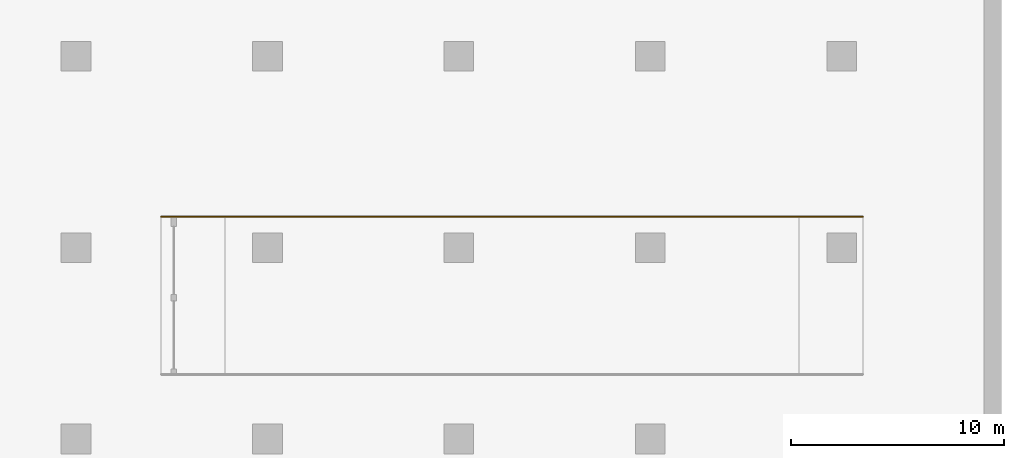
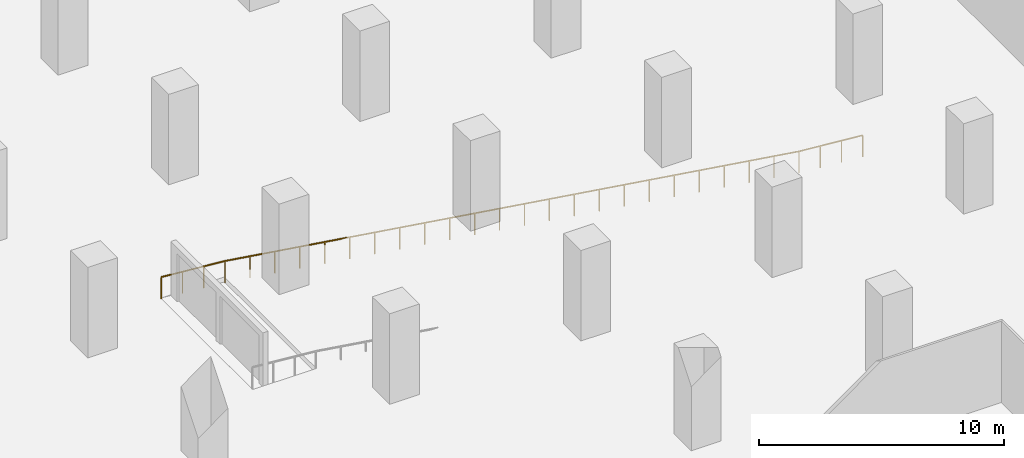
# One storey, part 9 of 9: 1 railing.
"""IFC4 building model written with IfcOpenShell, lengths in metres."""

from ifc_helpers import new_model, si_unit, direction, frame, origin, origin_2d, place, context, subcontext, project, spatial, rectangle, extrude, material, type_object, element, save


model = new_model("IFC4")

# Units and contexts
model_context = context("Model", 3, precision=1e-05, world=origin(), true_north=direction((0.0, 1.0)))
body_context = subcontext(model_context, "Body", "Model", "MODEL_VIEW")
ifc_project = project(units=[si_unit("LENGTHUNIT", "METRE"), si_unit("AREAUNIT", "SQUARE_METRE"), si_unit("VOLUMEUNIT", "CUBIC_METRE"), si_unit("PLANEANGLEUNIT", "RADIAN"), si_unit("MASSUNIT", "GRAM", prefix="KILO")], contexts=[model_context])

# Site, building, storey
site_placement = place(None, origin())
site = spatial("IfcSite", under=ifc_project, at=site_placement, CompositionType="ELEMENT")
building_placement = place(site_placement, origin())
building = spatial("IfcBuilding", under=site, at=building_placement, Name="Chenar Terraces", CompositionType="ELEMENT")
storey_placement = place(building_placement, frame((0.0, 0.0, -4.5)))
storey = spatial("IfcBuildingStorey", under=building, at=storey_placement, Name="B1", CompositionType="ELEMENT", Elevation=-4.5)

# Railing
ifc_material = material(Name="Powder-coated steel", Category="steel")
railing_type = type_object("IfcRailingType", Name="Ramp guard 1100", PredefinedType="GUARDRAIL", material=ifc_material)
railing_placement = place(storey_placement, frame((40.0, 55.449951171875, 0.0)))
element("IfcRailing", 1, at=railing_placement, inside=storey, type_object=railing_type, Name="R2 ramp guard north", PredefinedType="GUARDRAIL", context=body_context, shape_type="SweptSolid", body=[
    extrude(rectangle(XDim=0.048095703125, YDim=0.048095703125, at=origin_2d()), frame((0.0, 0.0, 1.076171875), z_axis=(0.996545758245, 0.0, -0.083045479854), x_axis=(0.0, 1.0, 0.0)), (0.0, 0.0, 1.0), 3.010498046875),
    extrude(rectangle(XDim=0.048095703125, YDim=0.048095703125, at=origin_2d()), frame((3.0, 0.0, 0.826171875), z_axis=(0.989203462354, 0.0, -0.146548661089), x_axis=(0.0, 1.0, 0.0)), (0.0, 0.0, 1.0), 27.294677734375),
    extrude(rectangle(XDim=0.048095703125, YDim=0.048095703125, at=origin_2d()), frame((30.0, 0.0, -3.173828125), z_axis=(0.996545758245, 0.0, -0.083045479854), x_axis=(0.0, 1.0, 0.0)), (0.0, 0.0, 1.0), 3.010498046875),
    extrude(rectangle(XDim=0.0419921875, YDim=0.0419921875, at=origin_2d()), origin(), (0.0, 0.0, 1.0), 1.052001953125),
    extrude(rectangle(XDim=0.0419921875, YDim=0.0419921875, at=origin_2d()), frame((1.0, 0.0, -0.083251953125)), (0.0, 0.0, 1.0), 1.052001953125),
    extrude(rectangle(XDim=0.0419921875, YDim=0.0419921875, at=origin_2d()), frame((2.0, 0.0, -0.166748046875)), (0.0, 0.0, 1.0), 1.052001953125),
    extrude(rectangle(XDim=0.0419921875, YDim=0.0419921875, at=origin_2d()), frame((3.0, 0.0, -0.25)), (0.0, 0.0, 1.0), 1.052001953125),
    extrude(rectangle(XDim=0.0419921875, YDim=0.0419921875, at=origin_2d()), frame((4.173828125, 0.0, -0.423828125)), (0.0, 0.0, 1.0), 1.052001953125),
    extrude(rectangle(XDim=0.0419921875, YDim=0.0419921875, at=origin_2d()), frame((5.347900390625, 0.0, -0.597900390625)), (0.0, 0.0, 1.0), 1.052001953125),
    extrude(rectangle(XDim=0.0419921875, YDim=0.0419921875, at=origin_2d()), frame((6.521728515625, 0.0, -0.771728515625)), (0.0, 0.0, 1.0), 1.052001953125),
    extrude(rectangle(XDim=0.0419921875, YDim=0.0419921875, at=origin_2d()), frame((7.695556640625, 0.0, -0.945556640625)), (0.0, 0.0, 1.0), 1.052001953125),
    extrude(rectangle(XDim=0.0419921875, YDim=0.0419921875, at=origin_2d()), frame((8.86962890625, 0.0, -1.11962890625)), (0.0, 0.0, 1.0), 1.052001953125),
    extrude(rectangle(XDim=0.0419921875, YDim=0.0419921875, at=origin_2d()), frame((10.04345703125, 0.0, -1.29345703125)), (0.0, 0.0, 1.0), 1.052001953125),
    extrude(rectangle(XDim=0.0419921875, YDim=0.0419921875, at=origin_2d()), frame((11.21728515625, 0.0, -1.46728515625)), (0.0, 0.0, 1.0), 1.052001953125),
    extrude(rectangle(XDim=0.0419921875, YDim=0.0419921875, at=origin_2d()), frame((12.391357421875, 0.0, -1.641357421875)), (0.0, 0.0, 1.0), 1.052001953125),
    extrude(rectangle(XDim=0.0419921875, YDim=0.0419921875, at=origin_2d()), frame((13.565185546875, 0.0, -1.815185546875)), (0.0, 0.0, 1.0), 1.052001953125),
    extrude(rectangle(XDim=0.0419921875, YDim=0.0419921875, at=origin_2d()), frame((14.739013671875, 0.0, -1.989013671875)), (0.0, 0.0, 1.0), 1.052001953125),
    extrude(rectangle(XDim=0.0419921875, YDim=0.0419921875, at=origin_2d()), frame((15.9130859375, 0.0, -2.1630859375)), (0.0, 0.0, 1.0), 1.052001953125),
    extrude(rectangle(XDim=0.0419921875, YDim=0.0419921875, at=origin_2d()), frame((17.0869140625, 0.0, -2.3369140625)), (0.0, 0.0, 1.0), 1.052001953125),
    extrude(rectangle(XDim=0.0419921875, YDim=0.0419921875, at=origin_2d()), frame((18.260986328125, 0.0, -2.510986328125)), (0.0, 0.0, 1.0), 1.052001953125),
    extrude(rectangle(XDim=0.0419921875, YDim=0.0419921875, at=origin_2d()), frame((19.434814453125, 0.0, -2.684814453125)), (0.0, 0.0, 1.0), 1.052001953125),
    extrude(rectangle(XDim=0.0419921875, YDim=0.0419921875, at=origin_2d()), frame((20.608642578125, 0.0, -2.858642578125)), (0.0, 0.0, 1.0), 1.052001953125),
    extrude(rectangle(XDim=0.0419921875, YDim=0.0419921875, at=origin_2d()), frame((21.78271484375, 0.0, -3.03271484375)), (0.0, 0.0, 1.0), 1.052001953125),
    extrude(rectangle(XDim=0.0419921875, YDim=0.0419921875, at=origin_2d()), frame((22.95654296875, 0.0, -3.20654296875)), (0.0, 0.0, 1.0), 1.052001953125),
    extrude(rectangle(XDim=0.0419921875, YDim=0.0419921875, at=origin_2d()), frame((24.13037109375, 0.0, -3.38037109375)), (0.0, 0.0, 1.0), 1.052001953125),
    extrude(rectangle(XDim=0.0419921875, YDim=0.0419921875, at=origin_2d()), frame((25.304443359375, 0.0, -3.554443359375)), (0.0, 0.0, 1.0), 1.052001953125),
    extrude(rectangle(XDim=0.0419921875, YDim=0.0419921875, at=origin_2d()), frame((26.478271484375, 0.0, -3.728271484375)), (0.0, 0.0, 1.0), 1.052001953125),
    extrude(rectangle(XDim=0.0419921875, YDim=0.0419921875, at=origin_2d()), frame((27.652099609375, 0.0, -3.902099609375)), (0.0, 0.0, 1.0), 1.052001953125),
    extrude(rectangle(XDim=0.0419921875, YDim=0.0419921875, at=origin_2d()), frame((28.826171875, 0.0, -4.076171875)), (0.0, 0.0, 1.0), 1.052001953125),
    extrude(rectangle(XDim=0.0419921875, YDim=0.0419921875, at=origin_2d()), frame((30.0, 0.0, -4.25)), (0.0, 0.0, 1.0), 1.052001953125),
    extrude(rectangle(XDim=0.0419921875, YDim=0.0419921875, at=origin_2d()), frame((31.0, 0.0, -4.333251953125)), (0.0, 0.0, 1.0), 1.052001953125),
    extrude(rectangle(XDim=0.0419921875, YDim=0.0419921875, at=origin_2d()), frame((32.0, 0.0, -4.416748046875)), (0.0, 0.0, 1.0), 1.052001953125),
    extrude(rectangle(XDim=0.0419921875, YDim=0.0419921875, at=origin_2d()), frame((33.0, 0.0, -4.5)), (0.0, 0.0, 1.0), 1.052001953125),
])

save(model, "model.ifc")
